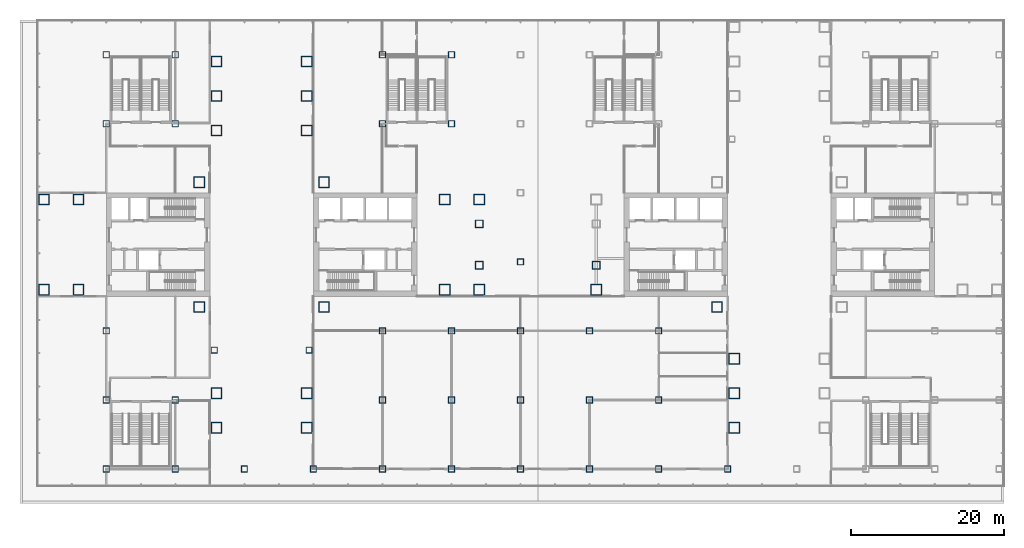
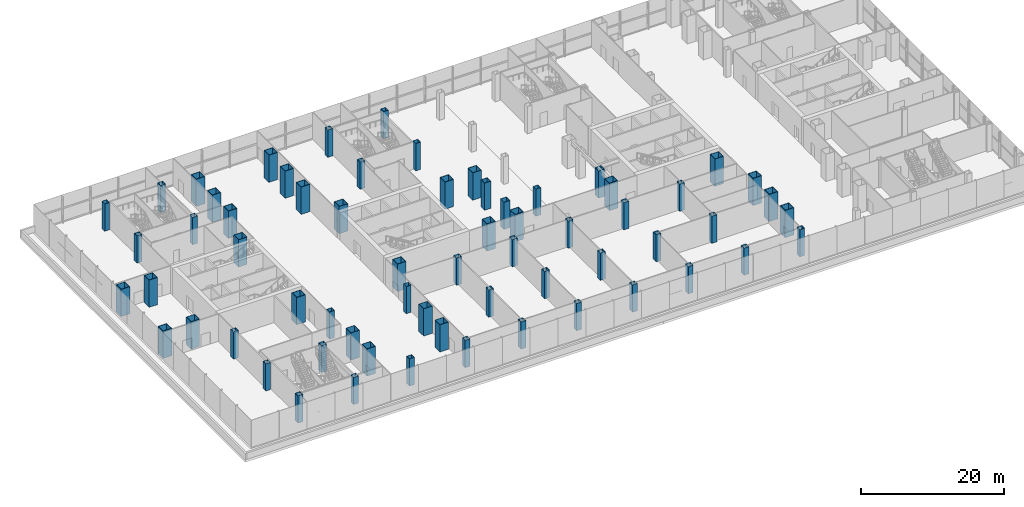
# One storey, part 1 of 30: 64 columns.
"""IFC4 building model written with IfcOpenShell, lengths in metres."""

from ifc_helpers import new_model, si_unit, direction, frame, origin, origin_2d, place, context, subcontext, project, spatial, hollow_rectangle, extrude, material, material_profile, profile_set, type_object, element, save


model = new_model("IFC4")

# Units and contexts
model_context = context("Model", 3, precision=1e-05, world=origin(), true_north=direction((0.0, 1.0)))
body_context = subcontext(model_context, "Body", "Model", "MODEL_VIEW")
ifc_project = project(units=[si_unit("LENGTHUNIT", "METRE"), si_unit("AREAUNIT", "SQUARE_METRE"), si_unit("VOLUMEUNIT", "CUBIC_METRE"), si_unit("PLANEANGLEUNIT", "RADIAN"), si_unit("MASSUNIT", "GRAM", prefix="KILO")], contexts=[model_context])

# Site, building, storey
site_placement = place(None, origin())
site = spatial("IfcSite", under=ifc_project, at=site_placement, CompositionType="ELEMENT")
building_placement = place(site_placement, origin())
building = spatial("IfcBuilding", under=site, at=building_placement, Name="Shamsa Quay Exchange Towers", CompositionType="ELEMENT")
storey_placement = place(building_placement, frame((0.0, 0.0, 23.5)))
storey = spatial("IfcBuildingStorey", under=building, at=storey_placement, Name="L04", CompositionType="ELEMENT", Elevation=23.5)

# Columns
ifc_material_1 = material(Name="Concrete-filled steel tube S355 / C80/95", Category="concrete")
ifc_material_profile_1 = material_profile(ifc_material_1, hollow_rectangle(XDim=1.39990234375, YDim=1.39990234375, WallThickness=0.06005859375, at=origin_2d()), Name="CFT 1400x1400x60")
ifc_profile_set_1 = profile_set([ifc_material_profile_1], Name="Concrete-filled steel tube S355 / C80/95")
column_type_1 = type_object("IfcColumnType", Name="Column CFT 1400x1400x60", PredefinedType="COLUMN", material=ifc_profile_set_1)
for number, where, name in (
    (1, (-25.625, 8.125, 0.0), "Mega column T1-CM01"),
    (2, (-25.625, -8.125, 0.0), "Mega column T1-CM02"),
    (3, (-41.875, 8.125, 0.0), "Mega column T1-CM03"),
    (4, (-41.875, -8.125, 0.0), "Mega column T1-CM04"),
    (5, (-9.875, -5.875, 0.0), "Mega column T1-CM05"),
    (6, (-5.375, -5.875, 0.0), "Mega column T1-CM06"),
    (7, (-9.875, 5.875, 0.0), "Mega column T1-CM07"),
    (8, (-5.375, 5.875, 0.0), "Mega column T1-CM08"),
    (9, (-57.625, -5.875, 0.0), "Mega column T1-CM09"),
    (10, (-62.125, -5.875, 0.0), "Mega column T1-CM10"),
    (11, (-57.625, 5.875, 0.0), "Mega column T1-CM11"),
    (12, (-62.125, 5.875, 0.0), "Mega column T1-CM12"),
    (13, (-39.625, 14.875, 0.0), "Mega column T1-CM13"),
    (14, (-39.625, 19.375, 0.0), "Mega column T1-CM14"),
    (15, (-39.625, 23.875, 0.0), "Mega column T1-CM15"),
    (16, (-27.875, 14.875, 0.0), "Mega column T1-CM16"),
    (17, (-27.875, 19.375, 0.0), "Mega column T1-CM17"),
    (18, (-27.875, 23.875, 0.0), "Mega column T1-CM18"),
    (19, (-39.625, -19.375, 0.0), "Mega column T1-CM20"),
    (20, (-39.625, -23.875, 0.0), "Mega column T1-CM21"),
    (21, (-27.875, -19.375, 0.0), "Mega column T1-CM23"),
    (22, (-27.875, -23.875, 0.0), "Mega column T1-CM24"),
    (23, (25.625, -8.125, 0.0), "Mega column T2-CM03"),
    (24, (27.875, -14.875, 0.0), "Mega column T2-CM16"),
    (25, (27.875, -19.375, 0.0), "Mega column T2-CM17"),
    (26, (27.875, -23.875, 0.0), "Mega column T2-CM18"),
    (27, (9.875, -5.875, 0.0), "Mega column T2-CM19"),
):
    element("IfcColumn", number, at=place(storey_placement, frame(where)), inside=storey, type_object=column_type_1, Name=name, PredefinedType="COLUMN", context=body_context, shape_type="SweptSolid", body=[
        extrude(hollow_rectangle(XDim=1.39990234375, YDim=1.39990234375, WallThickness=0.06005859375, at=origin_2d()), origin(), (0.0, 0.0, 1.0), 4.64990234375),
    ])
ifc_material_2 = material(Name="Concrete-filled steel tube S355 / C60/75", Category="concrete")
ifc_material_profile_2 = material_profile(ifc_material_2, hollow_rectangle(XDim=0.800048828125, YDim=0.800048828125, WallThickness=0.030029296875, at=origin_2d()), Name="CFT 800x800x30")
ifc_profile_set_2 = profile_set([ifc_material_profile_2], Name="Concrete-filled steel tube S355 / C60/75")
column_type_2 = type_object("IfcColumnType", Name="Column CFT 800x800x30", PredefinedType="COLUMN", material=ifc_profile_set_2)
for number, where, name in (
    (28, (-39.9375, -13.75, 0.0), "Perimeter column T1-CP19"),
    (29, (-27.5625, -13.75, 0.0), "Perimeter column T1-CP22"),
    (30, (-54.0, -29.25, 0.0), "Perimeter column PD-C-0540-0292"),
    (31, (-54.0, -20.25, 0.0), "Perimeter column PD-C-0540-0202"),
    (32, (-54.0, -11.25, 0.0), "Perimeter column PD-C-0540-0112"),
    (33, (-54.0, 15.75, 0.0), "Perimeter column PD-C-0540+0158"),
    (34, (-54.0, 24.75, 0.0), "Perimeter column PD-C-0540+0248"),
    (35, (-45.0, -29.25, 0.0), "Perimeter column PD-C-0450-0292"),
    (36, (-45.0, -20.25, 0.0), "Perimeter column PD-C-0450-0202"),
    (37, (-45.0, 15.75, 0.0), "Perimeter column PD-C-0450+0158"),
    (38, (-45.0, 24.75, 0.0), "Perimeter column PD-C-0450+0248"),
    (39, (-36.0, -29.25, 0.0), "Perimeter column PD-C-0360-0292"),
    (40, (-27.0, -29.25, 0.0), "Perimeter column PD-C-0270-0292"),
    (41, (-18.0, -29.25, 0.0), "Perimeter column PD-C-0180-0292"),
    (42, (-18.0, -20.25, 0.0), "Perimeter column PD-C-0180-0202"),
    (43, (-18.0, -11.25, 0.0), "Perimeter column PD-C-0180-0112"),
    (44, (-18.0, 15.75, 0.0), "Perimeter column PD-C-0180+0158"),
    (45, (-18.0, 24.75, 0.0), "Perimeter column PD-C-0180+0248"),
    (46, (-9.0, -29.25, 0.0), "Perimeter column PD-C-0090-0292"),
    (47, (-9.0, -20.25, 0.0), "Perimeter column PD-C-0090-0202"),
    (48, (-9.0, -11.25, 0.0), "Perimeter column PD-C-0090-0112"),
    (49, (-9.0, 15.75, 0.0), "Perimeter column PD-C-0090+0158"),
    (50, (-9.0, 24.75, 0.0), "Perimeter column PD-C-0090+0248"),
    (51, (0.0, -29.25, 0.0), "Perimeter column PD-C+0000-0292"),
    (52, (0.0, -20.25, 0.0), "Perimeter column PD-C+0000-0202"),
    (53, (0.0, -11.25, 0.0), "Perimeter column PD-C+0000-0112"),
    (54, (0.0, -2.25, 0.0), "Perimeter column PD-C+0000-0022"),
    (55, (9.0, -29.25, 0.0), "Perimeter column PD-C+0090-0292"),
    (56, (9.0, -20.25, 0.0), "Perimeter column PD-C+0090-0202"),
    (57, (9.0, -11.25, 0.0), "Perimeter column PD-C+0090-0112"),
    (58, (18.0, -29.25, 0.0), "Perimeter column PD-C+0180-0292"),
    (59, (18.0, -20.25, 0.0), "Perimeter column PD-C+0180-0202"),
    (60, (18.0, -11.25, 0.0), "Perimeter column PD-C+0180-0112"),
    (61, (27.0, -29.25, 0.0), "Perimeter column PD-C+0270-0292"),
):
    element("IfcColumn", number, at=place(storey_placement, frame(where)), inside=storey, type_object=column_type_2, Name=name, PredefinedType="COLUMN", context=body_context, shape_type="SweptSolid", body=[
        extrude(hollow_rectangle(XDim=0.800048828125, YDim=0.800048828125, WallThickness=0.030029296875, at=origin_2d()), origin(), (0.0, 0.0, 1.0), 4.64990234375),
    ])
ifc_material_3 = material(Name="Concrete-filled steel tube S355 / C70/85", Category="concrete")
ifc_material_profile_3 = material_profile(ifc_material_3, hollow_rectangle(XDim=1.0, YDim=1.0, WallThickness=0.0400390625, at=origin_2d()), Name="CFT 1000x1000x40")
ifc_profile_set_3 = profile_set([ifc_material_profile_3], Name="Concrete-filled steel tube S355 / C70/85")
column_type_3 = type_object("IfcColumnType", Name="Landing column CFT 1000x1000x40", PredefinedType="COLUMN", material=ifc_profile_set_3)
for number, where, name in (
    (62, (-5.375, -2.699951171875, 0.0), "Landing column T1 S"),
    (63, (-5.375, 2.699951171875, 0.0), "Landing column T1 N"),
    (64, (9.875, -2.699951171875, 0.0), "Landing column T2 S"),
):
    element("IfcColumn", number, at=place(storey_placement, frame(where)), inside=storey, type_object=column_type_3, Name=name, PredefinedType="COLUMN", context=body_context, shape_type="SweptSolid", body=[
        extrude(hollow_rectangle(XDim=1.0, YDim=1.0, WallThickness=0.0400390625, at=origin_2d()), origin(), (0.0, 0.0, 1.0), 4.64990234375),
    ])

save(model, "model.ifc")
